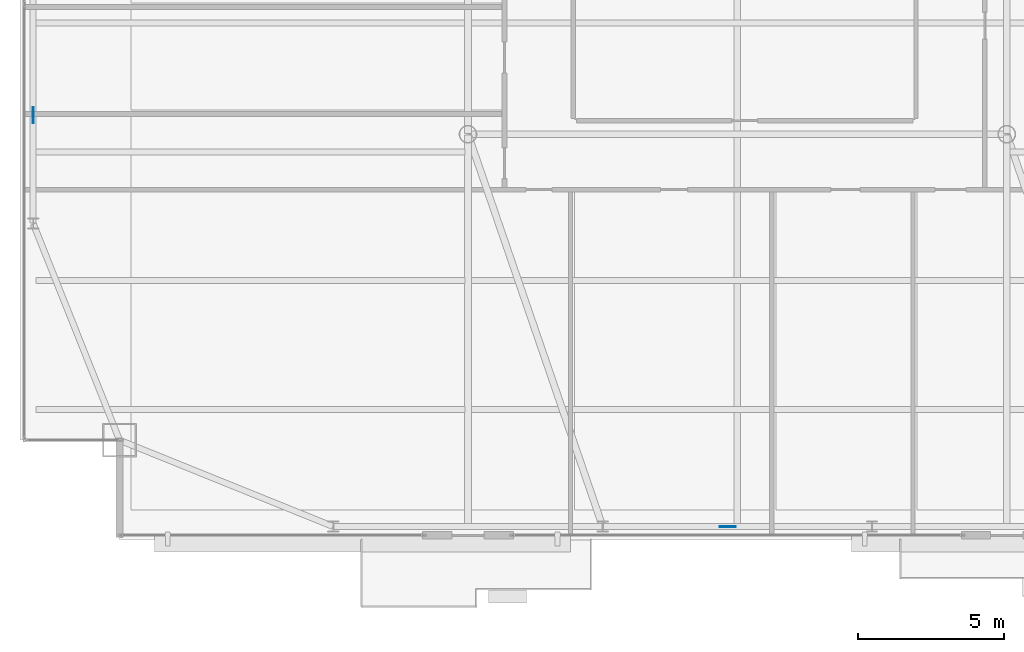
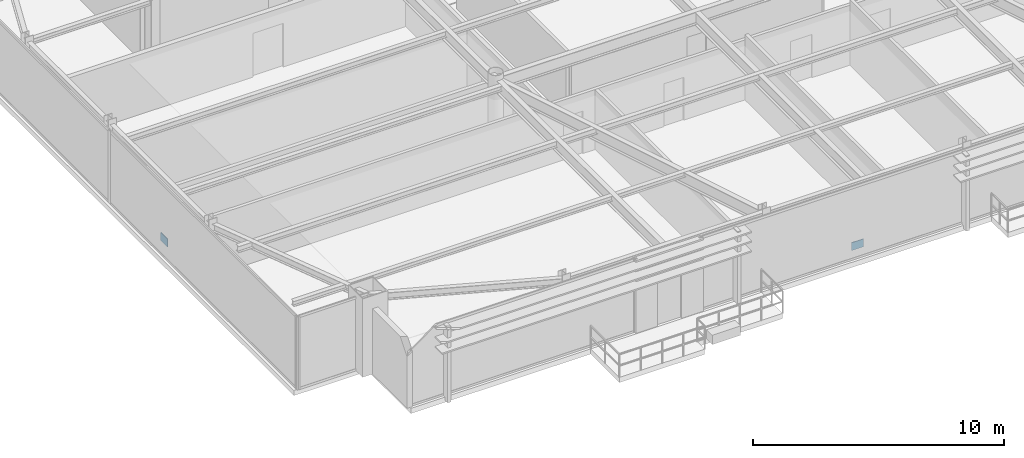
# One storey, part 24 of 30: 2 plates.
"""IFC4 building model written with IfcOpenShell, lengths in metres."""

from ifc_helpers import new_model, si_unit, direction, frame, origin, origin_2d, place, context, subcontext, project, spatial, rectangle, extrude, source, transform, mapped, material, layer, layer_set, type_object, type_shapes, element, save


model = new_model("IFC4")

# Units and contexts
model_context = context("Model", 3, precision=1e-05, world=origin(), true_north=direction((0.0, 1.0)))
body_context = subcontext(model_context, "Body", "Model", "MODEL_VIEW")
ifc_project = project(units=[si_unit("LENGTHUNIT", "METRE"), si_unit("AREAUNIT", "SQUARE_METRE"), si_unit("VOLUMEUNIT", "CUBIC_METRE"), si_unit("PLANEANGLEUNIT", "RADIAN"), si_unit("MASSUNIT", "GRAM", prefix="KILO")], contexts=[model_context])

# Site, building, storey
site_placement = place(None, origin())
site = spatial("IfcSite", under=ifc_project, at=site_placement, CompositionType="ELEMENT")
building_placement = place(site_placement, origin())
building = spatial("IfcBuilding", under=site, at=building_placement, Name="Varnel Quay Broadcast Tower", CompositionType="ELEMENT")
storey_placement = place(building_placement, frame((0.0, 0.0, 247.0)))
storey = spatial("IfcBuildingStorey", under=building, at=storey_placement, Name="L61", CompositionType="ELEMENT", Elevation=247.0)

# Plates
ifc_material = material(Name="Structural Steel CSA G40.21 350WT", Category="steel")
ifc_layer = layer(ifc_material, 0.031982421875, Name="Structural Steel CSA G40.21 350WT")
ifc_layer_set = layer_set([ifc_layer], Name="Structural Steel CSA G40.21 350WT")
plate_type = type_object("IfcPlateType", Name="Plate_EndCap", PredefinedType="USERDEFINED", material=ifc_layer_set)
shared_shape = source(origin(), body_context, "Body", "SweptSolid", [
    extrude(rectangle(XDim=0.5400390625, YDim=0.031982421875, at=origin_2d()), origin(), (0.0, 0.0, 1.0), 0.3798828125),
])
type_shapes(plate_type, [shared_shape])
for number, where, z_axis, x_axis, name in (
    (1, (33.668212890625, 10.64990234375, 0.222900390625), (0.0, 0.0, 1.0), (1.0, 0.0, 0.0), "Zone 4 Mega-Brace S-C1T3 Diag B2 End Connection Plate P0"),
    (2, (9.949951171875, 24.693359375, 0.256591796875), (0.0, 0.0, 1.0), (0.0, 1.0, 0.0), "Zone 4 Mega-Brace W-FT3 Diag B2 End Connection Plate P0"),
):
    element("IfcPlate", number, at=place(storey_placement, frame(where, z_axis=z_axis, x_axis=x_axis)), inside=storey, type_object=plate_type, Name=name, ObjectType="CAP_PLATE", PredefinedType="USERDEFINED", context=body_context, shape_type="MappedRepresentation", body=[
        mapped(shared_shape, transform((0.0, 0.0, 0.0), x_axis=(1.0, 0.0, 0.0), y_axis=(0.0, 1.0, 0.0), z_axis=(0.0, 0.0, 1.0), scale=1.0)),
    ])

save(model, "model.ifc")
